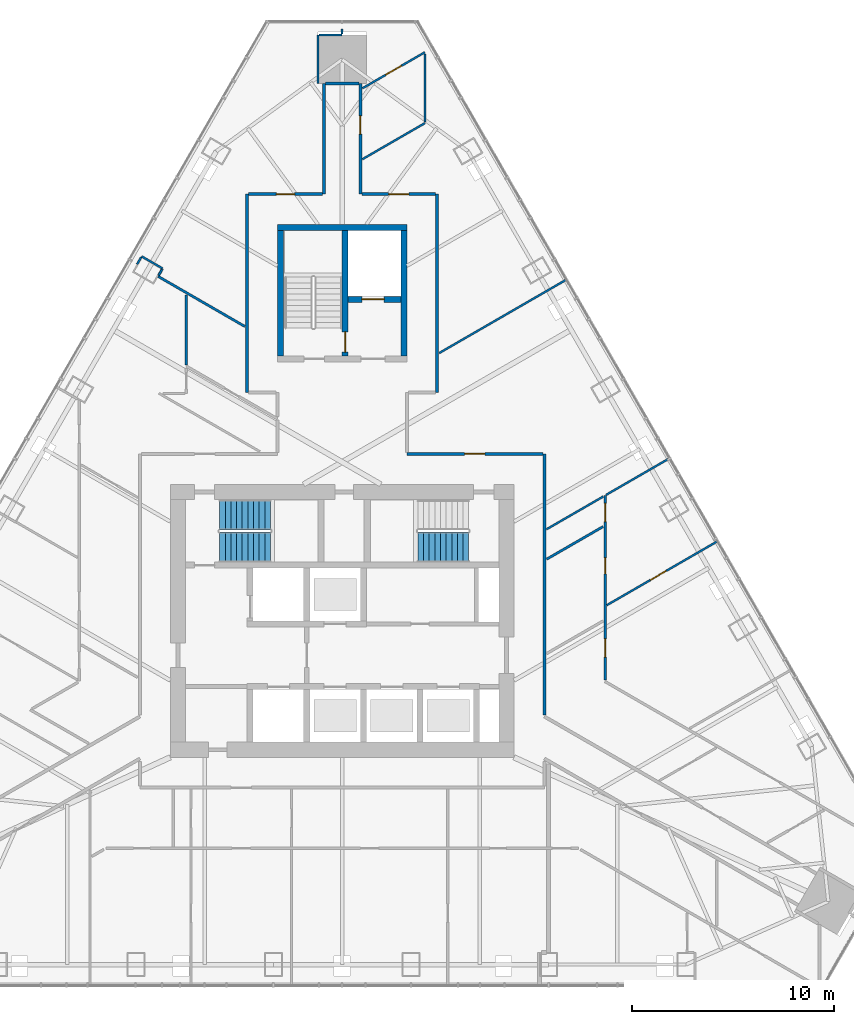
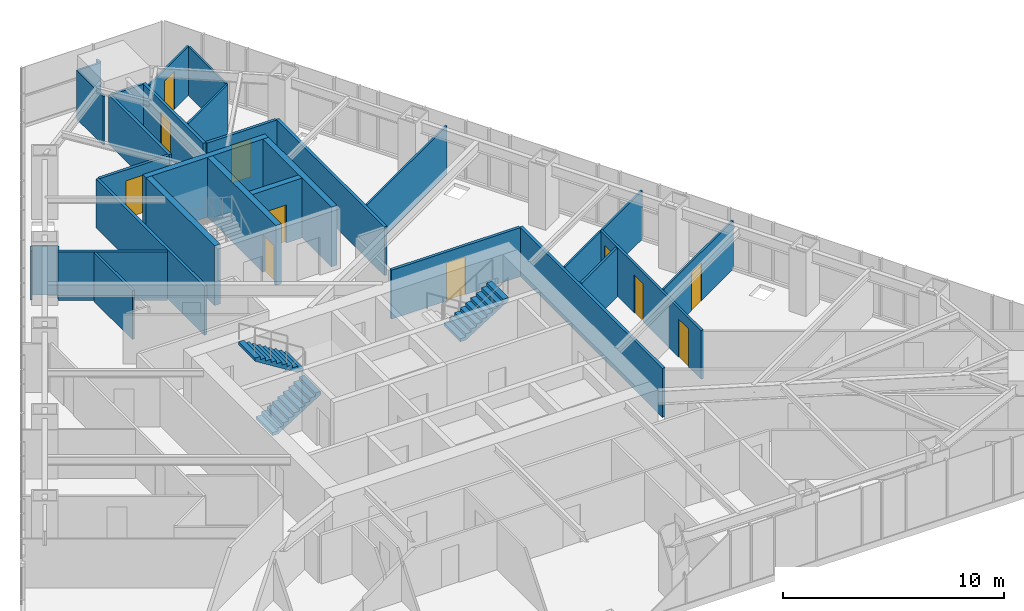
# One storey, part 16 of 19: 31 walls, 11 doors, 3 stair flights, 11 openings, 2 elements without a shape of their own.
"""IFC4 building model written with IfcOpenShell, lengths in metres."""

from ifc_helpers import new_model, si_unit, direction, frame, frame_2d, origin, place, context, subcontext, project, spatial, polyline, rectangle, outline, extrude, material, layer, layer_set, type_object, element, fill, aggregate, save


model = new_model("IFC4")

# Units and contexts
model_context = context("Model", 3, precision=1e-05, world=origin(), true_north=direction((0.0, 1.0)))
body_context = subcontext(model_context, "Body", "Model", "MODEL_VIEW")
ifc_project = project(units=[si_unit("LENGTHUNIT", "METRE"), si_unit("AREAUNIT", "SQUARE_METRE"), si_unit("VOLUMEUNIT", "CUBIC_METRE"), si_unit("PLANEANGLEUNIT", "RADIAN"), si_unit("MASSUNIT", "GRAM", prefix="KILO")], contexts=[model_context])

# Site, building, storey
site_placement = place(None, origin())
site = spatial("IfcSite", under=ifc_project, at=site_placement, CompositionType="ELEMENT")
building_placement = place(site_placement, origin())
building = spatial("IfcBuilding", under=site, at=building_placement, Name="Firuza Gate Tower and Library", CompositionType="ELEMENT")
storey_placement = place(building_placement, frame((0.0, 0.0, 256.60009765625)))
storey = spatial("IfcBuildingStorey", under=building, at=storey_placement, Name="L60", CompositionType="ELEMENT", Elevation=256.60009765625)

# Walls
ifc_material_1 = material(Name="Concrete C60/75", Category="concrete")
ifc_layer_1 = layer(ifc_material_1, 0.300048828125)
ifc_layer_set_1 = layer_set([ifc_layer_1], Name="Core wall 300 C60/75")
wall_type_1 = type_object("IfcWallType", Name="Core wall 300 C60/75", PredefinedType="SHEAR", material=ifc_layer_set_1)
wall_1_placement = place(storey_placement, frame((71.800048828125, 94.449951171875, 0.0), z_axis=(0.0, 0.0, 1.0), x_axis=(1.0, 0.0, 0.0)))
element("IfcWall", 1, at=wall_1_placement, inside=storey, type_object=wall_type_1, Name="Core wall L60 19", PredefinedType="SHEAR", context=body_context, shape_type="SweptSolid", body=[
    extrude(rectangle(XDim=6.39990234375, YDim=0.300048828125, at=frame_2d((3.199951171875, 0.0))), origin(), (0.0, 0.0, 1.0), 3.2998046875),
])
for number, where, z_axis, x_axis, name in (
    (2, (71.949951171875, 88.10009765625, 0.0), (0.0, 0.0, 1.0), (0.0, 1.0, 0.0), "Core wall L60 20"),
    (3, (78.050048828125, 88.10009765625, 0.0), (0.0, 0.0, 1.0), (0.0, 1.0, 0.0), "Core wall L60 21"),
):
    element("IfcWall", number, at=place(storey_placement, frame(where, z_axis=z_axis, x_axis=x_axis)), inside=storey, type_object=wall_type_1, Name=name, PredefinedType="SHEAR", context=body_context, shape_type="SweptSolid", body=[
        extrude(rectangle(XDim=6.199951171875, YDim=0.300048828125, at=frame_2d((3.10009765625, 0.0))), origin(), (0.0, 0.0, 1.0), 3.2998046875),
    ])

# Wall, opening, door
wall_2_placement = place(storey_placement, frame((75.300048828125, 90.89990234375, 0.0), z_axis=(0.0, 0.0, 1.0), x_axis=(1.0, 0.0, 0.0)))
wall_2 = element("IfcWall", 4, at=wall_2_placement, inside=storey, type_object=wall_type_1, Name="Core wall L60 22", PredefinedType="SHEAR", context=body_context, shape_type="SweptSolid", body=[
    extrude(rectangle(XDim=2.599853515625, YDim=0.300048828125, at=frame_2d((1.2998046875, 0.0))), origin(), (0.0, 0.0, 1.0), 3.2998046875),
])
opening_1_placement = place(wall_2_placement, frame((0.675048828125, 0.0, 0.0)))
opening_1 = element("IfcOpeningElement", 5, at=opening_1_placement, cuts=wall_2, Name="Opening LD-SV1-L60", PredefinedType="OPENING", context=body_context, shape_type="SweptSolid", body=[
    extrude(rectangle(XDim=1.10009765625, YDim=2.10009765625, at=frame_2d((0.550048828125, 1.050048828125))), frame((0.0, 0.16015625, 0.0), z_axis=(0.0, -1.0, 0.0), x_axis=(1.0, 0.0, 0.0)), (0.0, 0.0, 1.0), 0.320068359375),
])
ifc_material_2 = material(Name="Stainless steel", Category="steel")
door_type_1 = type_object("IfcDoorType", Name="Lift landing door 1100x2100", OperationType="DOUBLE_DOOR_SLIDING", PredefinedType="DOOR", material=ifc_material_2)
door_1_placement = place(opening_1_placement, origin())
door_1 = element("IfcDoor", 6, at=door_1_placement, inside=storey, type_object=door_type_1, Name="Landing door SV1 L60", OperationType="DOUBLE_DOOR_SLIDING", OverallHeight=2.10009765625, OverallWidth=1.10009765625, PredefinedType="DOOR", context=body_context, shape_type="SweptSolid", body=[
    extrude(rectangle(XDim=1.10009765625, YDim=2.10009765625, at=frame_2d((0.550048828125, 1.050048828125))), frame((0.0, 0.02490234375, 0.0), z_axis=(0.0, -1.0, 0.0), x_axis=(1.0, 0.0, 0.0)), (0.0, 0.0, 1.0), 0.050048828125),
])
fill(opening_1, door_1)

wall_3_placement = place(storey_placement, frame((75.14990234375, 88.10009765625, 0.0), z_axis=(0.0, 0.0, 1.0), x_axis=(0.0, 1.0, 0.0)))
wall_3 = element("IfcWall", 7, at=wall_3_placement, inside=storey, type_object=wall_type_1, Name="Core wall L60 23", PredefinedType="SHEAR", context=body_context, shape_type="SweptSolid", body=[
    extrude(rectangle(XDim=6.199951171875, YDim=0.300048828125, at=frame_2d((3.10009765625, 0.0))), origin(), (0.0, 0.0, 1.0), 3.2998046875),
])
opening_2_placement = place(wall_3_placement, frame((0.18505859375, 0.0, 0.0)))
opening_2 = element("IfcOpeningElement", 8, at=opening_2_placement, cuts=wall_3, Name="Opening L60-K12", PredefinedType="OPENING", context=body_context, shape_type="SweptSolid", body=[
    extrude(rectangle(XDim=1.0, YDim=2.10009765625, at=frame_2d((0.5, 1.050048828125))), frame((0.0, 0.16015625, 0.0), z_axis=(0.0, -1.0, 0.0), x_axis=(1.0, 0.0, 0.0)), (0.0, 0.0, 1.0), 0.320068359375),
])
ifc_material_3 = material(Name="Steel", Category="steel")
door_type_2 = type_object("IfcDoorType", Name="Fire door 1000x2100 FD90", OperationType="NOTDEFINED", PredefinedType="DOOR", material=ifc_material_3)
door_2_placement = place(opening_2_placement, origin())
door_2 = element("IfcDoor", 9, at=door_2_placement, inside=storey, type_object=door_type_2, Name="Door L60-K12", OperationType="SINGLE_SWING_LEFT", OverallHeight=2.10009765625, OverallWidth=1.0, PredefinedType="DOOR", context=body_context, shape_type="SweptSolid", body=[
    extrude(rectangle(XDim=1.0, YDim=2.10009765625, at=frame_2d((0.5, 1.050048828125))), frame((0.0, 0.02490234375, 0.0), z_axis=(0.0, -1.0, 0.0), x_axis=(1.0, 0.0, 0.0)), (0.0, 0.0, 1.0), 0.050048828125),
])
fill(opening_2, door_2)

ifc_material_4 = material(Name="Gypsum board partition")
ifc_layer_2 = layer(ifc_material_4, 0.14990234375)
ifc_layer_set_2 = layer_set([ifc_layer_2], Name="Corridor wall 150 double board on steel studs")
wall_type_2 = type_object("IfcWallType", Name="Corridor wall 150 double board on steel studs", PredefinedType="PARTITIONING", material=ifc_layer_set_2)
wall_4_placement = place(storey_placement, frame((78.199951171875, 83.25, 0.0), z_axis=(0.0, 0.0, 1.0), x_axis=(1.0, 0.0, 0.0)))
wall_4 = element("IfcWall", 10, at=wall_4_placement, inside=storey, type_object=wall_type_2, Name="f:L60:w005", PredefinedType="PARTITIONING", context=body_context, shape_type="SweptSolid", body=[
    extrude(rectangle(XDim=6.724609375, YDim=0.14990234375, at=frame_2d((3.3623046875, 0.0))), origin(), (0.0, 0.0, 1.0), 2.699951171875),
])
opening_3_placement = place(wall_4_placement, frame((2.8623046875, 0.0, 0.0)))
opening_3 = element("IfcOpeningElement", 11, at=opening_3_placement, cuts=wall_4, Name="Opening L60-08", PredefinedType="OPENING", context=body_context, shape_type="SweptSolid", body=[
    extrude(rectangle(XDim=1.0, YDim=2.10009765625, at=frame_2d((0.5, 1.050048828125))), frame((0.0, 0.0849609375, 0.0), z_axis=(0.0, -1.0, 0.0), x_axis=(1.0, 0.0, 0.0)), (0.0, 0.0, 1.0), 0.169921875),
])
ifc_material_5 = material(Name="Steel door and timber leaf", Category="steel")
door_type_3 = type_object("IfcDoorType", Name="Fire door 1000 x 2100 steel frame, timber leaf", OperationType="NOTDEFINED", PredefinedType="DOOR", material=ifc_material_5)
door_3_placement = place(opening_3_placement, origin())
door_3 = element("IfcDoor", 12, at=door_3_placement, inside=storey, type_object=door_type_3, Name="f:L60:d008", OperationType="SINGLE_SWING_LEFT", OverallHeight=2.10009765625, OverallWidth=1.0, PredefinedType="DOOR", context=body_context, shape_type="SweptSolid", body=[
    extrude(rectangle(XDim=1.0, YDim=2.10009765625, at=frame_2d((0.5, 1.050048828125))), frame((0.0, 0.02490234375, 0.0), z_axis=(0.0, -1.0, 0.0), x_axis=(1.0, 0.0, 0.0)), (0.0, 0.0, 1.0), 0.050048828125),
])
fill(opening_3, door_3)

wall_5_placement = place(storey_placement, frame((70.37548828125, 96.10009765625, 0.0), z_axis=(0.0, 0.0, 1.0), x_axis=(1.0, 0.0, 0.0)))
wall_5 = element("IfcWall", 13, at=wall_5_placement, inside=storey, type_object=wall_type_2, Name="f:L60:w009", PredefinedType="PARTITIONING", context=body_context, shape_type="SweptSolid", body=[
    extrude(rectangle(XDim=3.6494140625, YDim=0.14990234375, at=frame_2d((1.82470703125, 0.0))), origin(), (0.0, 0.0, 1.0), 2.699951171875),
])
opening_4_placement = place(wall_5_placement, frame((1.374755859375, 0.0, 0.0)))
opening_4 = element("IfcOpeningElement", 14, at=opening_4_placement, cuts=wall_5, Name="Opening L60-09", PredefinedType="OPENING", context=body_context, shape_type="SweptSolid", body=[
    extrude(rectangle(XDim=0.89990234375, YDim=2.10009765625, at=frame_2d((0.449951171875, 1.050048828125))), frame((0.0, 0.0849609375, 0.0), z_axis=(0.0, -1.0, 0.0), x_axis=(1.0, 0.0, 0.0)), (0.0, 0.0, 1.0), 0.169921875),
])
ifc_material_6 = material(Name="Steel door and timber leaf", Category="steel")
door_type_4 = type_object("IfcDoorType", Name="Fire door 900 x 2100 steel frame, timber leaf", OperationType="NOTDEFINED", PredefinedType="DOOR", material=ifc_material_6)
door_4_placement = place(opening_4_placement, origin())
door_4 = element("IfcDoor", 15, at=door_4_placement, inside=storey, type_object=door_type_4, Name="f:L60:d009", OperationType="SINGLE_SWING_LEFT", OverallHeight=2.10009765625, OverallWidth=0.89990234375, PredefinedType="DOOR", context=body_context, shape_type="SweptSolid", body=[
    extrude(rectangle(XDim=0.89990234375, YDim=2.10009765625, at=frame_2d((0.449951171875, 1.050048828125))), frame((0.0, 0.02490234375, 0.0), z_axis=(0.0, -1.0, 0.0), x_axis=(1.0, 0.0, 0.0)), (0.0, 0.0, 1.0), 0.050048828125),
])
fill(opening_4, door_4)

wall_6_placement = place(storey_placement, frame((79.62451171875, 96.10009765625, 0.0), z_axis=(0.0, 0.0, 1.0), x_axis=(-1.0, 0.0, 0.0)))
wall_6 = element("IfcWall", 16, at=wall_6_placement, inside=storey, type_object=wall_type_2, Name="f:L60:w010", PredefinedType="PARTITIONING", context=body_context, shape_type="SweptSolid", body=[
    extrude(rectangle(XDim=3.6494140625, YDim=0.14990234375, at=frame_2d((1.82470703125, 0.0))), origin(), (0.0, 0.0, 1.0), 2.699951171875),
])
opening_5_placement = place(wall_6_placement, frame((1.32470703125, 0.0, 0.0)))
opening_5 = element("IfcOpeningElement", 17, at=opening_5_placement, cuts=wall_6, Name="Opening L60-10", PredefinedType="OPENING", context=body_context, shape_type="SweptSolid", body=[
    extrude(rectangle(XDim=1.0, YDim=2.10009765625, at=frame_2d((0.5, 1.050048828125))), frame((0.0, 0.0849609375, 0.0), z_axis=(0.0, -1.0, 0.0), x_axis=(1.0, 0.0, 0.0)), (0.0, 0.0, 1.0), 0.169921875),
])
door_5_placement = place(opening_5_placement, origin())
door_5 = element("IfcDoor", 18, at=door_5_placement, inside=storey, type_object=door_type_3, Name="f:L60:d010", OperationType="SINGLE_SWING_LEFT", OverallHeight=2.10009765625, OverallWidth=1.0, PredefinedType="DOOR", context=body_context, shape_type="SweptSolid", body=[
    extrude(rectangle(XDim=1.0, YDim=2.10009765625, at=frame_2d((0.5, 1.050048828125))), frame((0.0, 0.02490234375, 0.0), z_axis=(0.0, -1.0, 0.0), x_axis=(1.0, 0.0, 0.0)), (0.0, 0.0, 1.0), 0.050048828125),
])
fill(opening_5, door_5)

# Walls
wall_7_placement = place(storey_placement, frame((74.180419921875, 101.56005859375, 0.0), z_axis=(0.0, 0.0, 1.0), x_axis=(1.0, 0.0, 0.0)))
element("IfcWall", 19, at=wall_7_placement, inside=storey, type_object=wall_type_2, Name="f:L60:w011", PredefinedType="PARTITIONING", context=body_context, shape_type="SweptSolid", body=[
    extrude(rectangle(XDim=1.64404296875, YDim=0.14990234375, at=frame_2d((0.822021484375, 0.0))), origin(), (0.0, 0.0, 1.0), 2.697021484375),
])
wall_8_placement = place(storey_placement, frame((85.0, 70.352294921875, 0.0), z_axis=(0.0, 0.0, 1.0), x_axis=(0.0, 1.0, 0.0)))
element("IfcWall", 20, at=wall_8_placement, inside=storey, type_object=wall_type_2, Name="f:L60:w040", PredefinedType="PARTITIONING", context=body_context, shape_type="SweptSolid", body=[
    extrude(rectangle(XDim=12.897216796875, YDim=0.14990234375, at=frame_2d((6.44873046875, 0.0))), origin(), (0.0, 0.0, 1.0), 2.699951171875),
])
wall_9_placement = place(storey_placement, frame((79.699951171875, 86.300537109375, 0.0), z_axis=(0.0, 0.0, 1.0), x_axis=(0.0, 1.0, 0.0)))
element("IfcWall", 21, at=wall_9_placement, inside=storey, type_object=wall_type_2, Name="f:L60:w043", PredefinedType="PARTITIONING", context=body_context, shape_type="SweptSolid", body=[
    extrude(rectangle(XDim=9.798828125, YDim=0.14990234375, at=frame_2d((4.8994140625, 0.0))), origin(), (0.0, 0.0, 1.0), 2.699951171875),
])

# Wall, opening, door
wall_10_placement = place(storey_placement, frame((75.89990234375, 101.559814453125, 0.0), z_axis=(0.0, 0.0, 1.0), x_axis=(0.0, -1.0, 0.0)))
wall_10 = element("IfcWall", 22, at=wall_10_placement, inside=storey, type_object=wall_type_2, Name="f:L60:w046", PredefinedType="PARTITIONING", context=body_context, shape_type="SweptSolid", body=[
    extrude(rectangle(XDim=5.459716796875, YDim=0.14990234375, at=frame_2d((2.72998046875, 0.0))), origin(), (0.0, 0.0, 1.0), 2.699951171875),
])
opening_6_placement = place(wall_10_placement, frame((1.589599609375, 0.0, 0.0)))
opening_6 = element("IfcOpeningElement", 23, at=opening_6_placement, cuts=wall_10, Name="Opening L60-23", PredefinedType="OPENING", context=body_context, shape_type="SweptSolid", body=[
    extrude(rectangle(XDim=0.89990234375, YDim=2.10009765625, at=frame_2d((0.449951171875, 1.050048828125))), frame((0.0, 0.0849609375, 0.0), z_axis=(0.0, -1.0, 0.0), x_axis=(1.0, 0.0, 0.0)), (0.0, 0.0, 1.0), 0.169921875),
])
door_6_placement = place(opening_6_placement, origin())
door_6 = element("IfcDoor", 24, at=door_6_placement, inside=storey, type_object=door_type_4, Name="f:L60:d023", OperationType="SINGLE_SWING_RIGHT", OverallHeight=2.10009765625, OverallWidth=0.89990234375, PredefinedType="DOOR", context=body_context, shape_type="SweptSolid", body=[
    extrude(rectangle(XDim=0.89990234375, YDim=2.10009765625, at=frame_2d((0.449951171875, 1.050048828125))), frame((0.0, 0.02490234375, 0.0), z_axis=(0.0, -1.0, 0.0), x_axis=(1.0, 0.0, 0.0)), (0.0, 0.0, 1.0), 0.050048828125),
])
fill(opening_6, door_6)

# Walls
wall_11_placement = place(storey_placement, frame((74.10009765625, 96.10009765625, 0.0), z_axis=(0.0, 0.0, 1.0), x_axis=(0.0, 1.0, 0.0)))
element("IfcWall", 25, at=wall_11_placement, inside=storey, type_object=wall_type_2, Name="f:L60:w048", PredefinedType="PARTITIONING", context=body_context, shape_type="SweptSolid", body=[
    extrude(rectangle(XDim=5.460205078125, YDim=0.14990234375, at=frame_2d((2.72998046875, 0.0))), origin(), (0.0, 0.0, 1.0), 2.699951171875),
])
wall_12_placement = place(storey_placement, frame((70.300048828125, 86.300048828125, 0.0), z_axis=(0.0, 0.0, 1.0), x_axis=(0.0, 1.0, 0.0)))
element("IfcWall", 26, at=wall_12_placement, inside=storey, type_object=wall_type_2, Name="f:L60:w052", PredefinedType="PARTITIONING", context=body_context, shape_type="SweptSolid", body=[
    extrude(rectangle(XDim=9.799560546875, YDim=0.14990234375, at=frame_2d((4.89990234375, 0.0))), origin(), (0.0, 0.0, 1.0), 2.699951171875),
])
ifc_material_7 = material(Name="Gypsum board partition")
ifc_layer_3 = layer(ifc_material_7, 0.10009765625)
ifc_layer_set_3 = layer_set([ifc_layer_3], Name="Partition 100 gypsum board on steel studs")
wall_type_3 = type_object("IfcWallType", Name="Partition 100 gypsum board on steel studs", PredefinedType="PARTITIONING", material=ifc_layer_set_3)
wall_13_placement = place(storey_placement, frame((73.8505859375, 103.9599609375, 0.0), z_axis=(0.0, 0.0, 1.0), x_axis=(1.0, 0.0, 0.0)))
element("IfcWall", 27, at=wall_13_placement, inside=storey, type_object=wall_type_3, Name="f:L60:w012", PredefinedType="PARTITIONING", context=body_context, shape_type="SweptSolid", body=[
    extrude(rectangle(XDim=1.1494140625, YDim=0.10009765625, at=frame_2d((0.57470703125, 0.0))), origin(), (0.0, 0.0, 1.0), 2.699951171875),
])

# Wall, opening, door
wall_14_placement = place(storey_placement, frame((88.086181640625, 75.772705078125, 0.0), z_axis=(0.0, 0.0, 1.0), x_axis=(0.866028229963, 0.499995104884, 0.0)))
wall_14 = element("IfcWall", 28, at=wall_14_placement, inside=storey, type_object=wall_type_3, Name="f:L60:w017", PredefinedType="PARTITIONING", context=body_context, shape_type="SweptSolid", body=[
    extrude(rectangle(XDim=6.2783203125, YDim=0.10009765625, at=frame_2d((3.13916015625, 0.0))), origin(), (0.0, 0.0, 1.0), 2.68798828125),
])
opening_7_placement = place(wall_14_placement, frame((2.4892578125, 0.0, 0.0)))
opening_7 = element("IfcOpeningElement", 29, at=opening_7_placement, cuts=wall_14, Name="Opening L60-13", PredefinedType="OPENING", context=body_context, shape_type="SweptSolid", body=[
    extrude(rectangle(XDim=0.89990234375, YDim=2.10009765625, at=frame_2d((0.449951171875, 1.050048828125))), frame((0.0, 0.06005859375, 0.0), z_axis=(0.0, -1.0, 0.0), x_axis=(1.0, 0.0, 0.0)), (0.0, 0.0, 1.0), 0.1201171875),
])
ifc_material_8 = material(Name="Timber door", Category="wood")
door_type_5 = type_object("IfcDoorType", Name="Door 900 x 2100 timber leaf", OperationType="NOTDEFINED", PredefinedType="DOOR", material=ifc_material_8)
door_7_placement = place(opening_7_placement, origin())
door_7 = element("IfcDoor", 30, at=door_7_placement, inside=storey, type_object=door_type_5, Name="f:L60:d013", OperationType="SINGLE_SWING_LEFT", OverallHeight=2.10009765625, OverallWidth=0.89990234375, PredefinedType="DOOR", context=body_context, shape_type="SweptSolid", body=[
    extrude(rectangle(XDim=0.89990234375, YDim=2.10009765625, at=frame_2d((0.449951171875, 1.050048828125))), frame((0.0, 0.02490234375, 0.0), z_axis=(0.0, -1.0, 0.0), x_axis=(1.0, 0.0, 0.0)), (0.0, 0.0, 1.0), 0.050048828125),
])
fill(opening_7, door_7)

# Walls
wall_15_placement = place(storey_placement, frame((85.100830078125, 79.5234375, 0.0), z_axis=(0.0, 0.0, 1.0), x_axis=(0.866029195513, 0.499993432475, 0.0)))
element("IfcWall", 31, at=wall_15_placement, inside=storey, type_object=wall_type_3, Name="f:L60:w022", PredefinedType="PARTITIONING", context=body_context, shape_type="SweptSolid", body=[
    extrude(rectangle(XDim=3.24951171875, YDim=0.10009765625, at=frame_2d((1.624755859375, 0.0))), origin(), (0.0, 0.0, 1.0), 2.699951171875),
])
wall_16_placement = place(storey_placement, frame((79.80078125, 88.241455078125, 0.0), z_axis=(0.0, 0.0, 1.0), x_axis=(0.866016076598, 0.500016154812, 0.0)))
element("IfcWall", 32, at=wall_16_placement, inside=storey, type_object=wall_type_3, Name="f:L60:w027", PredefinedType="PARTITIONING", context=body_context, shape_type="SweptSolid", body=[
    extrude(rectangle(XDim=7.219482421875, YDim=0.10009765625, at=frame_2d((3.60986328125, 0.0))), origin(), (0.0, 0.0, 1.0), 2.68798828125),
])
wall_17_placement = place(storey_placement, frame((76.000732421875, 97.825439453125, 0.0), z_axis=(0.0, 0.0, 1.0), x_axis=(0.866021986329, 0.500005919159, 0.0)))
element("IfcWall", 33, at=wall_17_placement, inside=storey, type_object=wall_type_3, Name="f:L60:w028", PredefinedType="PARTITIONING", context=body_context, shape_type="SweptSolid", body=[
    extrude(rectangle(XDim=3.57861328125, YDim=0.10009765625, at=frame_2d((1.789306640625, 0.0))), origin(), (0.0, 0.0, 1.0), 2.699951171875),
])

# Wall, opening, door
wall_18_placement = place(storey_placement, frame((79.088623046875, 103.114013671875, 0.0), z_axis=(0.0, 0.0, 1.0), x_axis=(-0.866000835515, -0.500042551078, 0.0)))
wall_18 = element("IfcWall", 34, at=wall_18_placement, inside=storey, type_object=wall_type_3, Name="f:L60:w029", PredefinedType="PARTITIONING", context=body_context, shape_type="SweptSolid", body=[
    extrude(rectangle(XDim=3.565185546875, YDim=0.10009765625, at=frame_2d((1.78271484375, 0.0))), origin(), (0.0, 0.0, 1.0), 2.699951171875),
])
opening_8_placement = place(wall_18_placement, frame((1.33251953125, 0.0, 0.0)))
opening_8 = element("IfcOpeningElement", 35, at=opening_8_placement, cuts=wall_18, Name="Opening L60-17", PredefinedType="OPENING", context=body_context, shape_type="SweptSolid", body=[
    extrude(rectangle(XDim=0.89990234375, YDim=2.10009765625, at=frame_2d((0.449951171875, 1.050048828125))), frame((0.0, 0.06005859375, 0.0), z_axis=(0.0, -1.0, 0.0), x_axis=(1.0, 0.0, 0.0)), (0.0, 0.0, 1.0), 0.1201171875),
])
door_8_placement = place(opening_8_placement, origin())
door_8 = element("IfcDoor", 36, at=door_8_placement, inside=storey, type_object=door_type_5, Name="f:L60:d017", OperationType="SINGLE_SWING_LEFT", OverallHeight=2.10009765625, OverallWidth=0.89990234375, PredefinedType="DOOR", context=body_context, shape_type="SweptSolid", body=[
    extrude(rectangle(XDim=0.89990234375, YDim=2.10009765625, at=frame_2d((0.449951171875, 1.050048828125))), frame((0.0, 0.02490234375, 0.0), z_axis=(0.0, -1.0, 0.0), x_axis=(1.0, 0.0, 0.0)), (0.0, 0.0, 1.0), 0.050048828125),
])
fill(opening_8, door_8)

# Walls
wall_19_placement = place(storey_placement, frame((65.92919921875, 92.084716796875, 0.0), z_axis=(0.0, 0.0, 1.0), x_axis=(0.49970167553, 0.866197573001, 0.0)))
element("IfcWall", 37, at=wall_19_placement, inside=storey, type_object=wall_type_3, Name="f:L60:w031", PredefinedType="PARTITIONING", context=body_context, shape_type="SweptSolid", body=[
    extrude(rectangle(XDim=0.339111328125, YDim=0.10009765625, at=frame_2d((0.16943359375, 0.0))), origin(), (0.0, 0.0, 1.0), 2.699951171875),
])
wall_20_placement = place(storey_placement, frame((64.85986328125, 92.6328125, 0.0), z_axis=(0.0, 0.0, 1.0), x_axis=(0.500481453673, 0.865747257882, 0.0)))
element("IfcWall", 38, at=wall_20_placement, inside=storey, type_object=wall_type_3, Name="f:L60:w032", PredefinedType="PARTITIONING", context=body_context, shape_type="SweptSolid", body=[
    extrude(rectangle(XDim=0.39892578125, YDim=0.10009765625, at=frame_2d((0.199462890625, 0.0))), origin(), (0.0, 0.0, 1.0), 2.699951171875),
])
wall_21_placement = place(storey_placement, frame((79.10009765625, 99.672119140625, 0.0), z_axis=(0.0, 0.0, 1.0), x_axis=(0.0, 1.0, 0.0)))
element("IfcWall", 39, at=wall_21_placement, inside=storey, type_object=wall_type_3, Name="f:L60:w044", PredefinedType="PARTITIONING", context=body_context, shape_type="SweptSolid", body=[
    extrude(rectangle(XDim=3.3544921875, YDim=0.10009765625, at=frame_2d((1.67724609375, 0.0))), origin(), (0.0, 0.0, 1.0), 2.699951171875),
])
wall_22_placement = place(storey_placement, frame((75.0, 104.01025390625, 0.0), z_axis=(0.0, 0.0, 1.0), x_axis=(0.0, 1.0, 0.0)))
element("IfcWall", 40, at=wall_22_placement, inside=storey, type_object=wall_type_3, Name="f:L60:w047", PredefinedType="PARTITIONING", context=body_context, shape_type="SweptSolid", body=[
    extrude(rectangle(XDim=0.25, YDim=0.10009765625, at=frame_2d((0.125, 0.0))), origin(), (0.0, 0.0, 1.0), 2.699951171875),
])
wall_23_placement = place(storey_placement, frame((73.800048828125, 101.560791015625, 0.0), z_axis=(0.0, 0.0, 1.0), x_axis=(0.0, 1.0, 0.0)))
element("IfcWall", 41, at=wall_23_placement, inside=storey, type_object=wall_type_3, Name="f:L60:w049", PredefinedType="PARTITIONING", context=body_context, shape_type="SweptSolid", body=[
    extrude(rectangle(XDim=2.39892578125, YDim=0.10009765625, at=frame_2d((1.199462890625, 0.0))), origin(), (0.0, 0.0, 1.0), 2.699951171875),
])
wall_24_placement = place(storey_placement, frame((66.12353515625, 92.42236328125, 0.0), z_axis=(0.0, 0.0, 1.0), x_axis=(-0.865978732077, 0.500080829057, 0.0)))
element("IfcWall", 42, at=wall_24_placement, inside=storey, type_object=wall_type_3, Name="f:L60:w064", PredefinedType="PARTITIONING", context=body_context, shape_type="SweptSolid", body=[
    extrude(rectangle(XDim=1.198974609375, YDim=0.10009765625, at=frame_2d((0.599609375, 0.0))), origin(), (0.0, 0.0, 1.0), 2.68798828125),
])
wall_25_placement = place(storey_placement, frame((88.044677734375, 81.22314453125, 0.0), z_axis=(0.0, 0.0, 1.0), x_axis=(0.866020209003, 0.500008997517, 0.0)))
element("IfcWall", 43, at=wall_25_placement, inside=storey, type_object=wall_type_3, Name="f:L60:w084", PredefinedType="PARTITIONING", context=body_context, shape_type="SweptSolid", body=[
    extrude(rectangle(XDim=3.58935546875, YDim=0.10009765625, at=frame_2d((1.794677734375, 0.0))), origin(), (0.0, 0.0, 1.0), 2.68798828125),
])
ifc_material_9 = material(Name="Gypsum board partition")
ifc_layer_4 = layer(ifc_material_9, 0.1201171875)
ifc_layer_set_4 = layer_set([ifc_layer_4], Name="Wet-area partition 120 moisture-resistant board")
wall_type_4 = type_object("IfcWallType", Name="Wet-area partition 120 moisture-resistant board", PredefinedType="PARTITIONING", material=ifc_layer_set_4)
wall_26_placement = place(storey_placement, frame((85.109375, 78.0458984375, 0.0), z_axis=(0.0, 0.0, 1.0), x_axis=(0.866033195618, 0.499986503906, 0.0)))
element("IfcWall", 44, at=wall_26_placement, inside=storey, type_object=wall_type_4, Name="f:L60:w020", PredefinedType="PARTITIONING", context=body_context, shape_type="SweptSolid", body=[
    extrude(rectangle(XDim=3.22802734375, YDim=0.1201171875, at=frame_2d((1.614013671875, 0.0))), origin(), (0.0, 0.0, 1.0), 2.699951171875),
])

# Wall, openings, doors
wall_27_placement = place(storey_placement, frame((88.0, 72.067138671875, 0.0), z_axis=(0.0, 0.0, 1.0), x_axis=(0.0, 1.0, 0.0)))
wall_27 = element("IfcWall", 45, at=wall_27_placement, inside=storey, type_object=wall_type_4, Name="f:L60:w037", PredefinedType="PARTITIONING", context=body_context, shape_type="SweptSolid", body=[
    extrude(rectangle(XDim=9.129638671875, YDim=0.1201171875, at=frame_2d((4.56494140625, 0.0))), origin(), (0.0, 0.0, 1.0), 2.699951171875),
])
opening_9_placement = place(wall_27_placement, frame((1.141845703125, 0.0, 0.0)))
opening_9 = element("IfcOpeningElement", 46, at=opening_9_placement, cuts=wall_27, Name="Opening L60-19", PredefinedType="OPENING", context=body_context, shape_type="SweptSolid", body=[
    extrude(rectangle(XDim=0.89990234375, YDim=2.10009765625, at=frame_2d((0.449951171875, 1.050048828125))), frame((0.0, 0.070068359375, 0.0), z_axis=(0.0, -1.0, 0.0), x_axis=(1.0, 0.0, 0.0)), (0.0, 0.0, 1.0), 0.14013671875),
])
opening_10_placement = place(wall_27_placement, frame((5.250244140625, 0.0, 0.0)))
opening_10 = element("IfcOpeningElement", 47, at=opening_10_placement, cuts=wall_27, Name="Opening L60-20", PredefinedType="OPENING", context=body_context, shape_type="SweptSolid", body=[
    extrude(rectangle(XDim=0.800048828125, YDim=2.10009765625, at=frame_2d((0.39990234375, 1.050048828125))), frame((0.0, 0.070068359375, 0.0), z_axis=(0.0, -1.0, 0.0), x_axis=(1.0, 0.0, 0.0)), (0.0, 0.0, 1.0), 0.14013671875),
])
opening_11_placement = place(wall_27_placement, frame((7.83837890625, 0.0, 0.0)))
opening_11 = element("IfcOpeningElement", 48, at=opening_11_placement, cuts=wall_27, Name="Opening L60-21", PredefinedType="OPENING", context=body_context, shape_type="SweptSolid", body=[
    extrude(rectangle(XDim=0.89990234375, YDim=2.10009765625, at=frame_2d((0.449951171875, 1.050048828125))), frame((0.0, 0.070068359375, 0.0), z_axis=(0.0, -1.0, 0.0), x_axis=(1.0, 0.0, 0.0)), (0.0, 0.0, 1.0), 0.14013671875),
])
ifc_material_10 = material(Name="Timber door", Category="wood")
door_type_6 = type_object("IfcDoorType", Name="Door 800 x 2100 timber leaf", OperationType="NOTDEFINED", PredefinedType="DOOR", material=ifc_material_10)
door_9_placement = place(opening_10_placement, origin())
door_9 = element("IfcDoor", 49, at=door_9_placement, inside=storey, type_object=door_type_6, Name="f:L60:d020", OperationType="SINGLE_SWING_LEFT", OverallHeight=2.10009765625, OverallWidth=0.800048828125, PredefinedType="DOOR", context=body_context, shape_type="SweptSolid", body=[
    extrude(rectangle(XDim=0.800048828125, YDim=2.10009765625, at=frame_2d((0.39990234375, 1.050048828125))), frame((0.0, 0.02490234375, 0.0), z_axis=(0.0, -1.0, 0.0), x_axis=(1.0, 0.0, 0.0)), (0.0, 0.0, 1.0), 0.050048828125),
])
fill(opening_10, door_9)
door_10_placement = place(opening_9_placement, origin())
door_10 = element("IfcDoor", 50, at=door_10_placement, inside=storey, type_object=door_type_5, Name="f:L60:d019", OperationType="SINGLE_SWING_RIGHT", OverallHeight=2.10009765625, OverallWidth=0.89990234375, PredefinedType="DOOR", context=body_context, shape_type="SweptSolid", body=[
    extrude(rectangle(XDim=0.89990234375, YDim=2.10009765625, at=frame_2d((0.449951171875, 1.050048828125))), frame((0.0, 0.02490234375, 0.0), z_axis=(0.0, -1.0, 0.0), x_axis=(1.0, 0.0, 0.0)), (0.0, 0.0, 1.0), 0.050048828125),
])
fill(opening_9, door_10)
door_11_placement = place(opening_11_placement, origin())
door_11 = element("IfcDoor", 51, at=door_11_placement, inside=storey, type_object=door_type_5, Name="f:L60:d021", OperationType="SINGLE_SWING_RIGHT", OverallHeight=2.10009765625, OverallWidth=0.89990234375, PredefinedType="DOOR", context=body_context, shape_type="SweptSolid", body=[
    extrude(rectangle(XDim=0.89990234375, YDim=2.10009765625, at=frame_2d((0.449951171875, 1.050048828125))), frame((0.0, 0.02490234375, 0.0), z_axis=(0.0, -1.0, 0.0), x_axis=(1.0, 0.0, 0.0)), (0.0, 0.0, 1.0), 0.050048828125),
])
fill(opening_11, door_11)

# Walls
wall_28_placement = place(storey_placement, frame((70.1904296875, 89.554931640625, 0.0), z_axis=(0.0, 0.0, 1.0), x_axis=(-0.866036249428, 0.499981214323, 0.0)))
element("IfcWall", 52, at=wall_28_placement, inside=storey, type_object=wall_type_4, Name="f:L60:w065", PredefinedType="PARTITIONING", context=body_context, shape_type="SweptSolid", body=[
    extrude(rectangle(XDim=4.954833984375, YDim=0.1201171875, at=frame_2d((2.4775390625, 0.0))), origin(), (0.0, 0.0, 1.0), 2.699951171875),
])
wall_29_placement = place(storey_placement, frame((67.300048828125, 87.640625, 0.0), z_axis=(0.0, 0.0, 1.0), x_axis=(0.0, 1.0, 0.0)))
element("IfcWall", 53, at=wall_29_placement, inside=storey, type_object=wall_type_4, Name="f:L60:w086", PredefinedType="PARTITIONING", context=body_context, shape_type="SweptSolid", body=[
    extrude(rectangle(XDim=3.473388671875, YDim=0.1201171875, at=frame_2d((1.73681640625, 0.0))), origin(), (0.0, 0.0, 1.0), 2.699951171875),
])

# Stair, stair flights
ifc_material_11 = material(Name="Concrete C35/45", Category="concrete")
stair_type = type_object("IfcStairType", Name="Exit stair ST8", PredefinedType="HALF_TURN_STAIR", material=ifc_material_11)
placement = place(storey_placement, origin())
stair_1 = element("IfcStair", 54, at=placement, inside=storey, type_object=stair_type, Name="L60 Stair ST1", PredefinedType="HALF_TURN_STAIR")
ifc_material_12 = material(Name="Concrete C35/45", Category="concrete")
stair_flight_type = type_object("IfcStairFlightType", Name="Stair flight 10 risers 175 width 1490", PredefinedType="STRAIGHT", material=ifc_material_12)
stair_flight_1_placement = place(storey_placement, frame((68.93994140625, 78.64501953125, 0.0), z_axis=(0.0, 0.0, 1.0), x_axis=(1.0, 0.0, 0.0)))
stair_flight_1 = element("IfcStairFlight", 55, at=stair_flight_1_placement, type_object=stair_flight_type, Name="ST1 flight 1", NumberOfRisers=10, NumberOfTreads=9, PredefinedType="STRAIGHT", RiserHeight=0.175, TreadLength=0.28, context=body_context, shape_type="SweptSolid", body=[
    extrude(outline(polyline([(0.0, 0.0), (0.0, 0.175048828125), (0.280029296875, 0.175048828125), (0.280029296875, 0.35009765625), (0.56005859375, 0.35009765625), (0.56005859375, 0.52490234375), (0.840087890625, 0.52490234375), (0.840087890625, 0.699951171875), (1.1201171875, 0.699951171875), (1.1201171875, 0.875), (1.39990234375, 0.875), (1.39990234375, 1.050048828125), (1.679931640625, 1.050048828125), (1.679931640625, 1.22509765625), (1.9599609375, 1.22509765625), (1.9599609375, 1.39990234375), (2.239990234375, 1.39990234375), (2.239990234375, 1.574951171875), (2.52001953125, 1.574951171875), (2.52001953125, 1.75), (2.52001953125, 1.398193359375), (0.28271484375, 0.0), (0.0, 0.0)])), frame((0.0, 0.7451171875, 0.0), z_axis=(0.0, -1.0, 0.0), x_axis=(1.0, 0.0, 0.0)), (0.0, 0.0, 1.0), 1.489990234375),
])
stair_flight_2_placement = place(storey_placement, frame((71.4599609375, 80.235107421875, 1.75), z_axis=(0.0, 0.0, 1.0), x_axis=(-1.0, 0.0, 0.0)))
stair_flight_2 = element("IfcStairFlight", 56, at=stair_flight_2_placement, type_object=stair_flight_type, Name="ST1 flight 2", NumberOfRisers=10, NumberOfTreads=9, PredefinedType="STRAIGHT", RiserHeight=0.175, TreadLength=0.28, context=body_context, shape_type="SweptSolid", body=[
    extrude(outline(polyline([(0.0, 0.0), (0.0, 0.175048828125), (0.280029296875, 0.175048828125), (0.280029296875, 0.35009765625), (0.56005859375, 0.35009765625), (0.56005859375, 0.52490234375), (0.840087890625, 0.52490234375), (0.840087890625, 0.699951171875), (1.1201171875, 0.699951171875), (1.1201171875, 0.875), (1.39990234375, 0.875), (1.39990234375, 1.050048828125), (1.679931640625, 1.050048828125), (1.679931640625, 1.22509765625), (1.9599609375, 1.22509765625), (1.9599609375, 1.39990234375), (2.239990234375, 1.39990234375), (2.239990234375, 1.574951171875), (2.52001953125, 1.574951171875), (2.52001953125, 1.75), (2.52001953125, 1.398193359375), (0.28271484375, 0.0), (0.0, 0.0)])), frame((0.0, 0.7451171875, 0.0), z_axis=(0.0, -1.0, 0.0), x_axis=(1.0, 0.0, 0.0)), (0.0, 0.0, 1.0), 1.489990234375),
])
aggregate(stair_1, [stair_flight_1, stair_flight_2])

# Stair, stair flight
stair_2 = element("IfcStair", 57, at=placement, inside=storey, type_object=stair_type, Name="L60 Stair ST2", PredefinedType="HALF_TURN_STAIR")
stair_flight_3_placement = place(storey_placement, frame((78.739990234375, 78.64501953125, 1.75), z_axis=(0.0, 0.0, 1.0), x_axis=(1.0, 0.0, 0.0)))
stair_flight_3 = element("IfcStairFlight", 58, at=stair_flight_3_placement, type_object=stair_flight_type, Name="ST2 flight 2", NumberOfRisers=10, NumberOfTreads=9, PredefinedType="STRAIGHT", RiserHeight=0.175, TreadLength=0.28, context=body_context, shape_type="SweptSolid", body=[
    extrude(outline(polyline([(0.0, 0.0), (0.0, 0.175048828125), (0.280029296875, 0.175048828125), (0.280029296875, 0.35009765625), (0.56005859375, 0.35009765625), (0.56005859375, 0.52490234375), (0.840087890625, 0.52490234375), (0.840087890625, 0.699951171875), (1.1201171875, 0.699951171875), (1.1201171875, 0.875), (1.39990234375, 0.875), (1.39990234375, 1.050048828125), (1.679931640625, 1.050048828125), (1.679931640625, 1.22509765625), (1.9599609375, 1.22509765625), (1.9599609375, 1.39990234375), (2.239990234375, 1.39990234375), (2.239990234375, 1.574951171875), (2.52001953125, 1.574951171875), (2.52001953125, 1.75), (2.52001953125, 1.398193359375), (0.28271484375, 0.0), (0.0, 0.0)])), frame((0.0, 0.7451171875, 0.0), z_axis=(0.0, -1.0, 0.0), x_axis=(1.0, 0.0, 0.0)), (0.0, 0.0, 1.0), 1.489990234375),
])
aggregate(stair_2, [stair_flight_3])

save(model, "model.ifc")
